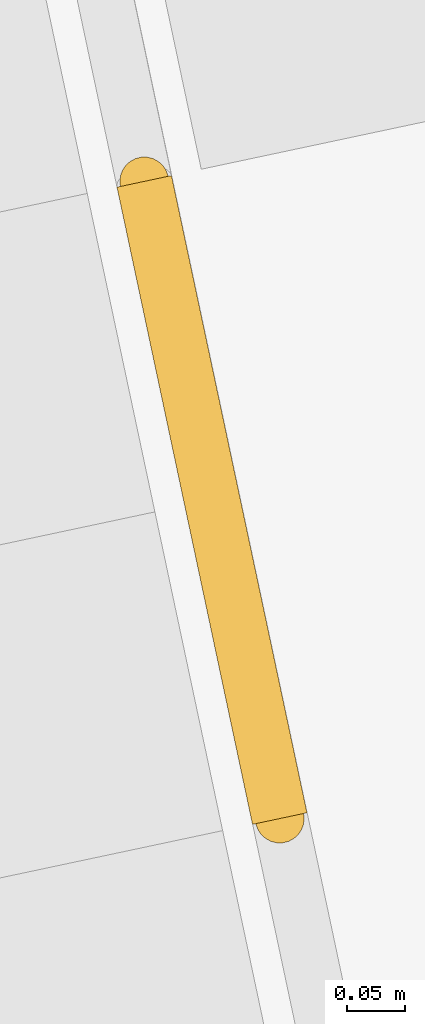
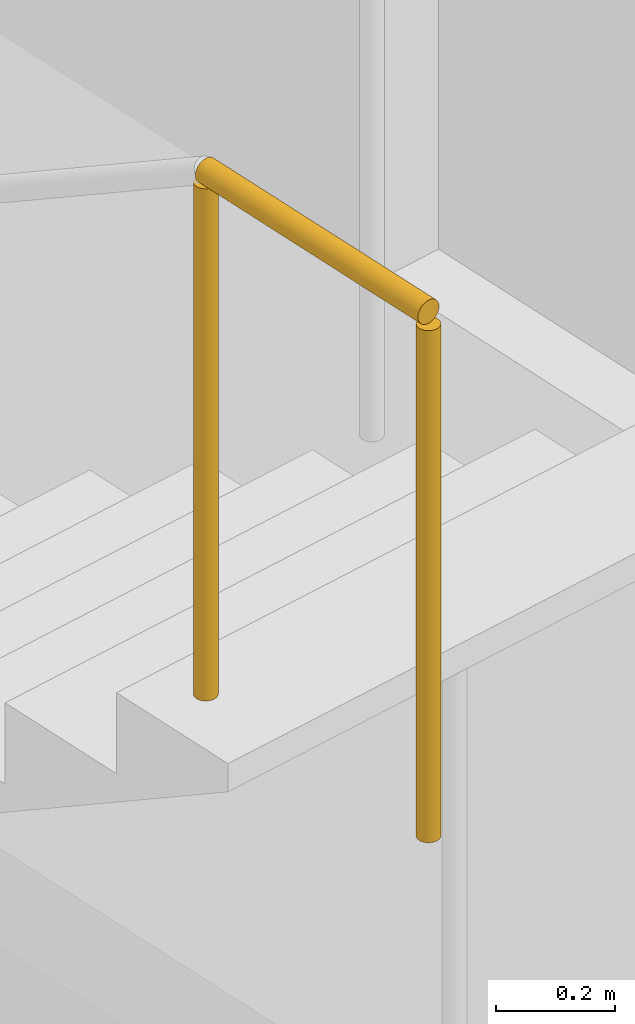
# One storey, part 146 of 157: 1 railing.
"""IFC4 building model written with IfcOpenShell, lengths in metres."""

from ifc_helpers import new_model, si_unit, direction, frame, origin, origin_2d, place, context, subcontext, project, spatial, circle, extrude, material, type_object, element, save


model = new_model("IFC4")

# Units and contexts
model_context = context("Model", 3, precision=1e-05, world=origin(), true_north=direction((0.0, 1.0)))
body_context = subcontext(model_context, "Body", "Model", "MODEL_VIEW")
ifc_project = project(units=[si_unit("LENGTHUNIT", "METRE"), si_unit("AREAUNIT", "SQUARE_METRE"), si_unit("VOLUMEUNIT", "CUBIC_METRE"), si_unit("PLANEANGLEUNIT", "RADIAN"), si_unit("MASSUNIT", "GRAM", prefix="KILO")], contexts=[model_context])

# Site, building, storey
site_placement = place(None, origin())
site = spatial("IfcSite", under=ifc_project, at=site_placement, CompositionType="ELEMENT")
building_placement = place(site_placement, origin())
building = spatial("IfcBuilding", under=site, at=building_placement, Name="Windward Yard Aquatics Centre", CompositionType="ELEMENT")
storey_placement = place(building_placement, origin())
storey = spatial("IfcBuildingStorey", under=building, at=storey_placement, Name="L00", CompositionType="ELEMENT", Elevation=0.0)

# Railing
ifc_material = material(Name="Stainless steel 1.4529", Category="steel")
railing_type = type_object("IfcRailingType", Name="D tower stair guard", PredefinedType="GUARDRAIL", material=ifc_material)
railing_placement = place(storey_placement, frame((161.369140625, 57.51416015625, 5.0)))
element("IfcRailing", 1, at=railing_placement, inside=storey, type_object=railing_type, Name="D.R.TW.S5.2", PredefinedType="GUARDRAIL", context=body_context, shape_type="SweptSolid", body=[
    extrude(circle(Radius=0.02392578125, at=origin_2d()), frame((0.0, 0.0, 1.076171875), z_axis=(0.208010002376, -0.978126698803, 0.0), x_axis=(0.978126698803, 0.208010002376, 0.0)), (0.0, 0.0, 1.0), 0.559814453125),
    extrude(circle(Radius=0.02099609375, at=origin_2d()), origin(), (0.0, 0.0, 1.0), 1.052001953125),
    extrude(circle(Radius=0.02099609375, at=origin_2d()), frame((0.116455078125, -0.547607421875, 0.0)), (0.0, 0.0, 1.0), 1.052001953125),
])

save(model, "model.ifc")
